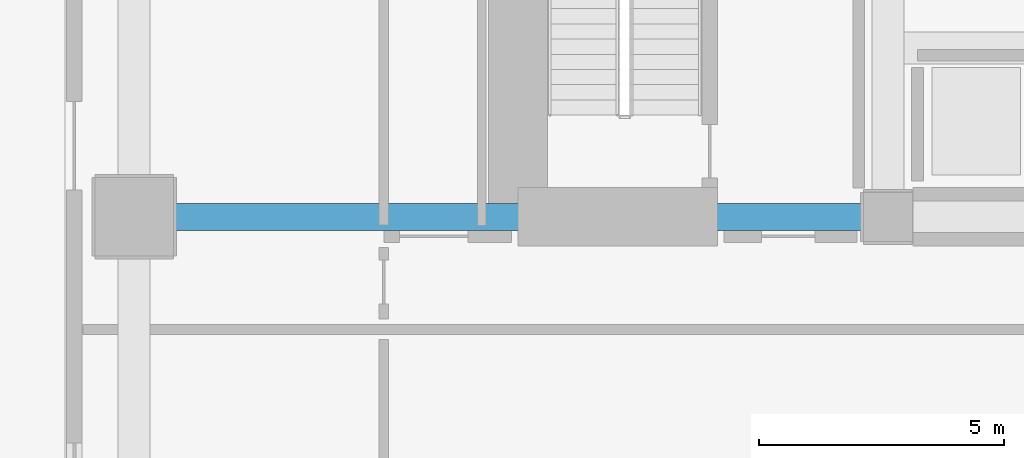
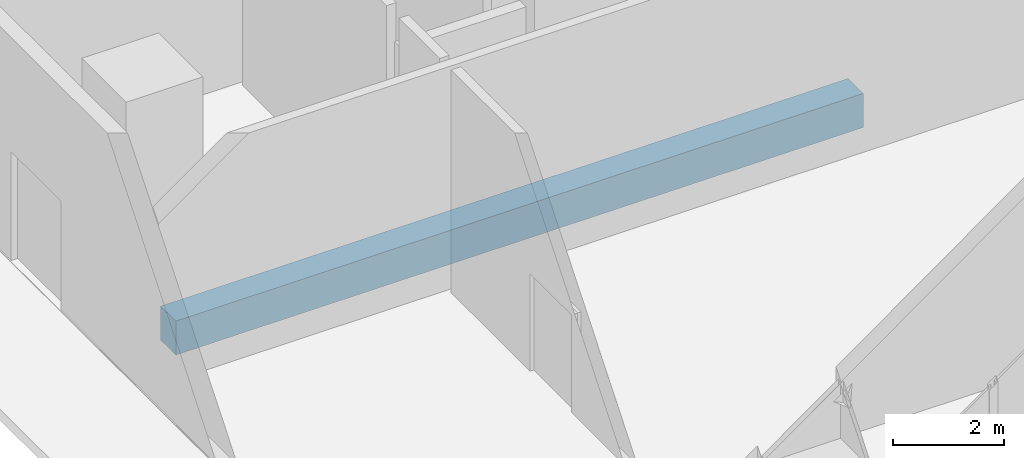
# One storey, part 3 of 30: 1 beam.
"""IFC4 building model written with IfcOpenShell, lengths in metres."""

from ifc_helpers import new_model, si_unit, direction, frame, origin, origin_2d, place, context, subcontext, project, spatial, rectangle, extrude, material, material_profile, profile_set, type_object, element, save


model = new_model("IFC4")

# Units and contexts
model_context = context("Model", 3, precision=1e-05, world=origin(), true_north=direction((0.0, 1.0)))
body_context = subcontext(model_context, "Body", "Model", "MODEL_VIEW")
ifc_project = project(units=[si_unit("LENGTHUNIT", "METRE"), si_unit("AREAUNIT", "SQUARE_METRE"), si_unit("VOLUMEUNIT", "CUBIC_METRE"), si_unit("PLANEANGLEUNIT", "RADIAN"), si_unit("MASSUNIT", "GRAM", prefix="KILO")], contexts=[model_context])

# Site, building, storey
site_placement = place(None, origin())
site = spatial("IfcSite", under=ifc_project, at=site_placement, CompositionType="ELEMENT")
building_placement = place(site_placement, origin())
building = spatial("IfcBuilding", under=site, at=building_placement, Name="Solanera Arch Residences", CompositionType="ELEMENT")
storey_placement = place(building_placement, origin())
storey = spatial("IfcBuildingStorey", under=building, at=storey_placement, Name="L00", CompositionType="ELEMENT", Elevation=0.0)

# Beam
ifc_material = material(Name="Concrete C40/50 (f'c = 45 MPa)", Category="concrete")
ifc_material_profile = material_profile(ifc_material, rectangle(XDim=0.550048828125, YDim=0.75, at=origin_2d()))
ifc_profile_set = profile_set([ifc_material_profile], Name="Concrete C40/50 (f'c = 45 MPa)")
beam_type = type_object("IfcBeamType", Name="Primary Beam RC-BM-550X750", PredefinedType="BEAM", material=ifc_profile_set)
beam_placement = place(storey_placement, frame((5.93994140625, 22.0, -0.794921875), z_axis=(1.0, 0.0, 0.0), x_axis=(0.0, 1.0, 0.0)))
element("IfcBeam", 1, at=beam_placement, inside=storey, type_object=beam_type, Name="BM-L00-POD-RW-22", PredefinedType="BEAM", context=body_context, shape_type="SweptSolid", body=[
    extrude(rectangle(XDim=0.550048828125, YDim=0.75, at=origin_2d()), origin(), (0.0, 0.0, 1.0), 14.35595703125),
])

save(model, "model.ifc")
